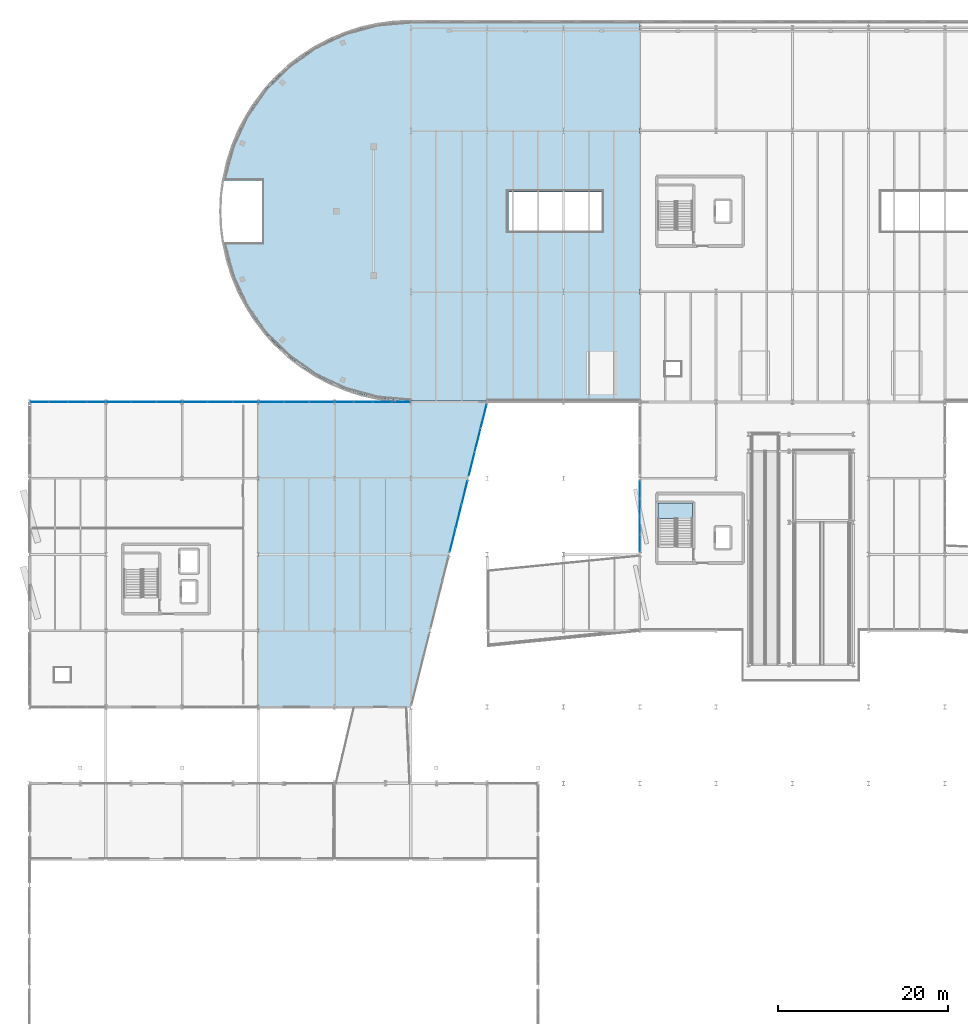
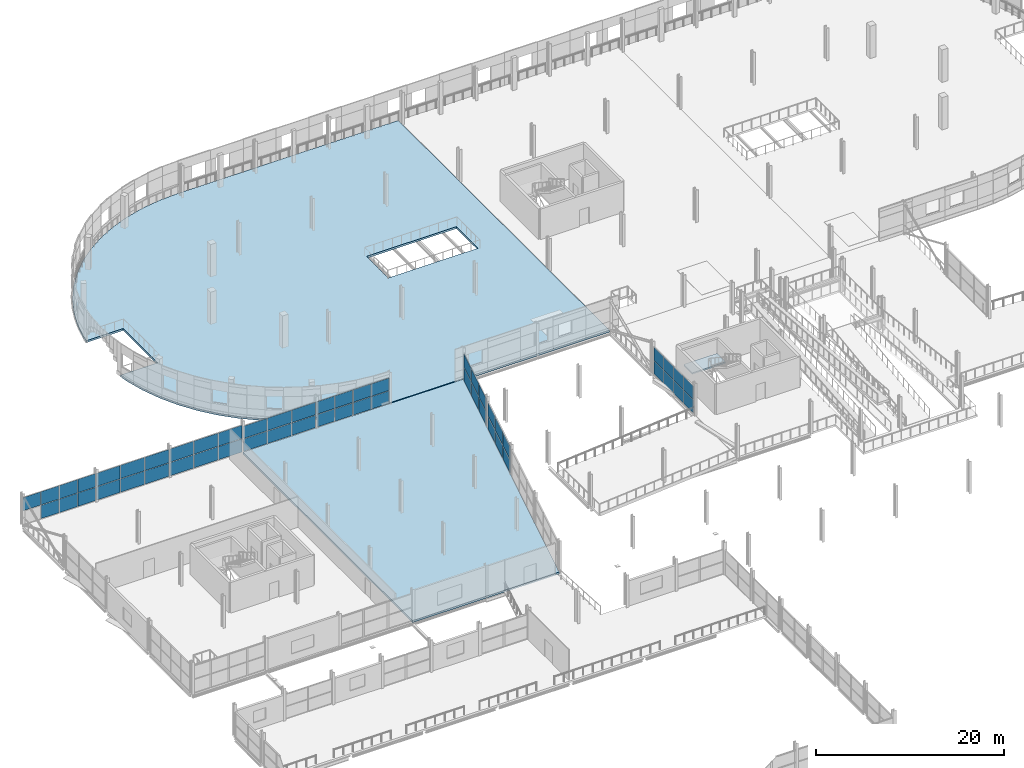
# One storey, part 104 of 135: 53 plates, 3 slabs, 9 elements without a shape of their own.
"""IFC4 building model written with IfcOpenShell, lengths in metres."""

from ifc_helpers import new_model, si_unit, direction, frame, origin, origin_2d, place, context, subcontext, project, spatial, polyline, rectangle, outline, extrude, material, layer, layer_set, type_object, element, aggregate, save


model = new_model("IFC4")

# Units and contexts
model_context = context("Model", 3, precision=1e-05, world=origin(), true_north=direction((0.0, 1.0)))
body_context = subcontext(model_context, "Body", "Model", "MODEL_VIEW")
ifc_project = project(units=[si_unit("LENGTHUNIT", "METRE"), si_unit("AREAUNIT", "SQUARE_METRE"), si_unit("VOLUMEUNIT", "CUBIC_METRE"), si_unit("PLANEANGLEUNIT", "RADIAN"), si_unit("MASSUNIT", "GRAM", prefix="KILO")], contexts=[model_context])

# Site, building, storey
site_placement = place(None, origin())
site = spatial("IfcSite", under=ifc_project, at=site_placement, CompositionType="ELEMENT")
building_placement = place(site_placement, origin())
building = spatial("IfcBuilding", under=site, at=building_placement, Name="Deido Ridge Mobility Hub", CompositionType="ELEMENT")
storey_placement = place(building_placement, frame((0.0, 0.0, 4.199951171875)))
storey = spatial("IfcBuildingStorey", under=building, at=storey_placement, Name="L01", CompositionType="ELEMENT", Elevation=4.199951171875)

# Curtain wall, plates
ifc_material_1 = material(Name="Anodised aluminium EN AW-6063 T6", Category="aluminium")
ifc_layer_1 = layer(ifc_material_1, 0.27001953125, Name="Anodised aluminium EN AW-6063 T6")
ifc_layer_set_1 = layer_set([ifc_layer_1], Name="Anodised aluminium EN AW-6063 T6")
curtain_wall_type_1 = type_object("IfcCurtainWallType", Name="CW-UF-8", PredefinedType="USERDEFINED", material=ifc_layer_set_1)
curtain_wall_1_placement = place(storey_placement, origin())
curtain_wall_1 = element("IfcCurtainWall", 1, at=curtain_wall_1_placement, inside=storey, type_object=curtain_wall_type_1, Name="Unitised curtain wall CW8", ObjectType="UNITISED FACADE", PredefinedType="USERDEFINED")
ifc_material_2 = material(Name="Laminated solar-control low-E glass", Category="glass")
ifc_layer_2 = layer(ifc_material_2, 0.02587890625, Name="Laminated solar-control low-E glass")
ifc_layer_set_2 = layer_set([ifc_layer_2], Name="Laminated solar-control low-E glass")
plate_type_1 = type_object("IfcPlateType", Name="PLT-CWP-26", PredefinedType="CURTAIN_PANEL", material=ifc_layer_set_2)
plate_1_placement = place(storey_placement, frame((52.173095703125, 73.692626953125, 0.050048828125), z_axis=(0.0, 0.0, 1.0), x_axis=(0.242546419373, 0.970139801497, 0.0)))
plate_1 = element("IfcPlate", 2, at=plate_1_placement, type_object=plate_type_1, Name="CW8 panel 1.1", PredefinedType="CURTAIN_PANEL", context=body_context, shape_type="SweptSolid", body=[
    extrude(rectangle(XDim=2.831298828125, YDim=0.02587890625, at=origin_2d()), origin(), (0.0, 0.0, 1.0), 1.72509765625),
])
plate_2_placement = place(storey_placement, frame((52.173095703125, 73.692626953125, 1.824951171875), z_axis=(0.0, 0.0, 1.0), x_axis=(0.242546419373, 0.970139801497, 0.0)))
plate_2 = element("IfcPlate", 3, at=plate_2_placement, type_object=plate_type_1, Name="CW8 panel 1.2", PredefinedType="CURTAIN_PANEL", context=body_context, shape_type="SweptSolid", body=[
    extrude(rectangle(XDim=2.831298828125, YDim=0.02587890625, at=origin_2d()), origin(), (0.0, 0.0, 1.0), 1.72509765625),
])
plate_3_placement = place(storey_placement, frame((52.875, 76.5, 0.050048828125), z_axis=(0.0, 0.0, 1.0), x_axis=(0.242546419373, 0.970139801497, 0.0)))
plate_3 = element("IfcPlate", 4, at=plate_3_placement, type_object=plate_type_1, Name="CW8 panel 2.1", PredefinedType="CURTAIN_PANEL", context=body_context, shape_type="SweptSolid", body=[
    extrude(rectangle(XDim=2.8564453125, YDim=0.02587890625, at=origin_2d()), origin(), (0.0, 0.0, 1.0), 1.72509765625),
])
plate_4_placement = place(storey_placement, frame((52.875, 76.5, 1.824951171875), z_axis=(0.0, 0.0, 1.0), x_axis=(0.242546419373, 0.970139801497, 0.0)))
plate_4 = element("IfcPlate", 5, at=plate_4_placement, type_object=plate_type_1, Name="CW8 panel 2.2", PredefinedType="CURTAIN_PANEL", context=body_context, shape_type="SweptSolid", body=[
    extrude(rectangle(XDim=2.8564453125, YDim=0.02587890625, at=origin_2d()), origin(), (0.0, 0.0, 1.0), 1.72509765625),
])
plate_5_placement = place(storey_placement, frame((53.576904296875, 79.307373046875, 0.050048828125), z_axis=(0.0, 0.0, 1.0), x_axis=(0.242546419373, 0.970139801497, 0.0)))
plate_5 = element("IfcPlate", 6, at=plate_5_placement, type_object=plate_type_1, Name="CW8 panel 3.1", PredefinedType="CURTAIN_PANEL", context=body_context, shape_type="SweptSolid", body=[
    extrude(rectangle(XDim=2.831298828125, YDim=0.02587890625, at=origin_2d()), origin(), (0.0, 0.0, 1.0), 1.72509765625),
])
plate_6_placement = place(storey_placement, frame((53.576904296875, 79.307373046875, 1.824951171875), z_axis=(0.0, 0.0, 1.0), x_axis=(0.242546419373, 0.970139801497, 0.0)))
plate_6 = element("IfcPlate", 7, at=plate_6_placement, type_object=plate_type_1, Name="CW8 panel 3.2", PredefinedType="CURTAIN_PANEL", context=body_context, shape_type="SweptSolid", body=[
    extrude(rectangle(XDim=2.831298828125, YDim=0.02587890625, at=origin_2d()), origin(), (0.0, 0.0, 1.0), 1.72509765625),
])
aggregate(curtain_wall_1, [plate_1, plate_2, plate_3, plate_4, plate_5, plate_6])

ifc_layer_3 = layer(ifc_material_1, 0.132080078125, Name="Anodised aluminium EN AW-6063 T6")
ifc_layer_set_3 = layer_set([ifc_layer_3], Name="Anodised aluminium EN AW-6063 T6")
curtain_wall_type_2 = type_object("IfcCurtainWallType", Name="CW-GS-1", PredefinedType="USERDEFINED", material=ifc_layer_set_3)
curtain_wall_2_placement = place(storey_placement, origin())
curtain_wall_2 = element("IfcCurtainWall", 8, at=curtain_wall_2_placement, inside=storey, type_object=curtain_wall_type_2, Name="Unitised curtain wall GS1", ObjectType="GLAZED SCREEN", PredefinedType="USERDEFINED")
ifc_layer_4 = layer(ifc_material_2, 0.029052734375, Name="Laminated solar-control low-E glass")
ifc_layer_set_4 = layer_set([ifc_layer_4], Name="Laminated solar-control low-E glass")
plate_type_2 = type_object("IfcPlateType", Name="PLT-CWP-29", PredefinedType="CURTAIN_PANEL", material=ifc_layer_set_4)
plate_7_placement = place(storey_placement, frame((1.144287109375, 81.0, 1.82763671875), z_axis=(0.0, 0.0, 1.0), x_axis=(1.0, 0.0, 0.0)))
plate_7 = element("IfcPlate", 9, at=plate_7_placement, type_object=plate_type_2, Name="GS1 panel 1.2", PredefinedType="CURTAIN_PANEL", context=body_context, shape_type="SweptSolid", body=[
    extrude(rectangle(XDim=2.163818359375, YDim=0.029052734375, at=origin_2d()), origin(), (0.0, 0.0, 1.0), 1.717529296875),
])
plate_8_placement = place(storey_placement, frame((3.376708984375, 81.0, 0.05517578125), z_axis=(0.0, 0.0, 1.0), x_axis=(1.0, 0.0, 0.0)))
plate_8 = element("IfcPlate", 10, at=plate_8_placement, type_object=plate_type_2, Name="GS1 panel 2.1", PredefinedType="CURTAIN_PANEL", context=body_context, shape_type="SweptSolid", body=[
    extrude(rectangle(XDim=2.19140625, YDim=0.029052734375, at=origin_2d()), origin(), (0.0, 0.0, 1.0), 1.717529296875),
])
plate_9_placement = place(storey_placement, frame((3.376708984375, 81.0, 1.82763671875), z_axis=(0.0, 0.0, 1.0), x_axis=(1.0, 0.0, 0.0)))
plate_9 = element("IfcPlate", 11, at=plate_9_placement, type_object=plate_type_2, Name="GS1 panel 2.2", PredefinedType="CURTAIN_PANEL", context=body_context, shape_type="SweptSolid", body=[
    extrude(rectangle(XDim=2.19140625, YDim=0.029052734375, at=origin_2d()), origin(), (0.0, 0.0, 1.0), 1.717529296875),
])
plate_10_placement = place(storey_placement, frame((5.623291015625, 81.0, 0.05517578125), z_axis=(0.0, 0.0, 1.0), x_axis=(1.0, 0.0, 0.0)))
plate_10 = element("IfcPlate", 12, at=plate_10_placement, type_object=plate_type_2, Name="GS1 panel 3.1", PredefinedType="CURTAIN_PANEL", context=body_context, shape_type="SweptSolid", body=[
    extrude(rectangle(XDim=2.19140625, YDim=0.029052734375, at=origin_2d()), origin(), (0.0, 0.0, 1.0), 1.717529296875),
])
plate_11_placement = place(storey_placement, frame((5.623291015625, 81.0, 1.82763671875), z_axis=(0.0, 0.0, 1.0), x_axis=(1.0, 0.0, 0.0)))
plate_11 = element("IfcPlate", 13, at=plate_11_placement, type_object=plate_type_2, Name="GS1 panel 3.2", PredefinedType="CURTAIN_PANEL", context=body_context, shape_type="SweptSolid", body=[
    extrude(rectangle(XDim=2.19140625, YDim=0.029052734375, at=origin_2d()), origin(), (0.0, 0.0, 1.0), 1.717529296875),
])
plate_12_placement = place(storey_placement, frame((7.855712890625, 81.0, 0.05517578125), z_axis=(0.0, 0.0, 1.0), x_axis=(1.0, 0.0, 0.0)))
plate_12 = element("IfcPlate", 14, at=plate_12_placement, type_object=plate_type_2, Name="GS1 panel 4.1", PredefinedType="CURTAIN_PANEL", context=body_context, shape_type="SweptSolid", body=[
    extrude(rectangle(XDim=2.163818359375, YDim=0.029052734375, at=origin_2d()), origin(), (0.0, 0.0, 1.0), 1.717529296875),
])
plate_13_placement = place(storey_placement, frame((7.855712890625, 81.0, 1.82763671875), z_axis=(0.0, 0.0, 1.0), x_axis=(1.0, 0.0, 0.0)))
plate_13 = element("IfcPlate", 15, at=plate_13_placement, type_object=plate_type_2, Name="GS1 panel 4.2", PredefinedType="CURTAIN_PANEL", context=body_context, shape_type="SweptSolid", body=[
    extrude(rectangle(XDim=2.163818359375, YDim=0.029052734375, at=origin_2d()), origin(), (0.0, 0.0, 1.0), 1.717529296875),
])
aggregate(curtain_wall_2, [plate_7, plate_8, plate_9, plate_10, plate_11, plate_12, plate_13])

ifc_layer_5 = layer(ifc_material_1, 0.14404296875, Name="Anodised aluminium EN AW-6063 T6")
ifc_layer_set_5 = layer_set([ifc_layer_5], Name="Anodised aluminium EN AW-6063 T6")
curtain_wall_type_3 = type_object("IfcCurtainWallType", Name="CW-GS-2", PredefinedType="USERDEFINED", material=ifc_layer_set_5)
curtain_wall_3_placement = place(storey_placement, origin())
curtain_wall_3 = element("IfcCurtainWall", 16, at=curtain_wall_3_placement, inside=storey, type_object=curtain_wall_type_3, Name="Unitised curtain wall GS2", ObjectType="GLAZED SCREEN", PredefinedType="USERDEFINED")
ifc_layer_6 = layer(ifc_material_2, 0.031005859375, Name="Laminated solar-control low-E glass")
ifc_layer_set_6 = layer_set([ifc_layer_6], Name="Laminated solar-control low-E glass")
plate_type_3 = type_object("IfcPlateType", Name="PLT-CWP-31", PredefinedType="CURTAIN_PANEL", material=ifc_layer_set_6)
plate_14_placement = place(storey_placement, frame((10.519775390625, 81.0, 0.06005859375), z_axis=(0.0, 0.0, 1.0), x_axis=(1.0, 0.0, 0.0)))
plate_14 = element("IfcPlate", 17, at=plate_14_placement, type_object=plate_type_3, Name="GS2 panel 1.1", PredefinedType="CURTAIN_PANEL", context=body_context, shape_type="SweptSolid", body=[
    extrude(rectangle(XDim=2.9052734375, YDim=0.031005859375, at=origin_2d()), origin(), (0.0, 0.0, 1.0), 1.7099609375),
])
plate_15_placement = place(storey_placement, frame((10.519775390625, 81.0, 1.830078125), z_axis=(0.0, 0.0, 1.0), x_axis=(1.0, 0.0, 0.0)))
plate_15 = element("IfcPlate", 18, at=plate_15_placement, type_object=plate_type_3, Name="GS2 panel 1.2", PredefinedType="CURTAIN_PANEL", context=body_context, shape_type="SweptSolid", body=[
    extrude(rectangle(XDim=2.9052734375, YDim=0.031005859375, at=origin_2d()), origin(), (0.0, 0.0, 1.0), 1.7099609375),
])
plate_16_placement = place(storey_placement, frame((13.5, 81.0, 0.06005859375), z_axis=(0.0, 0.0, 1.0), x_axis=(1.0, 0.0, 0.0)))
plate_16 = element("IfcPlate", 19, at=plate_16_placement, type_object=plate_type_3, Name="GS2 panel 2.1", PredefinedType="CURTAIN_PANEL", context=body_context, shape_type="SweptSolid", body=[
    extrude(rectangle(XDim=2.93505859375, YDim=0.031005859375, at=origin_2d()), origin(), (0.0, 0.0, 1.0), 1.7099609375),
])
plate_17_placement = place(storey_placement, frame((13.5, 81.0, 1.830078125), z_axis=(0.0, 0.0, 1.0), x_axis=(1.0, 0.0, 0.0)))
plate_17 = element("IfcPlate", 20, at=plate_17_placement, type_object=plate_type_3, Name="GS2 panel 2.2", PredefinedType="CURTAIN_PANEL", context=body_context, shape_type="SweptSolid", body=[
    extrude(rectangle(XDim=2.93505859375, YDim=0.031005859375, at=origin_2d()), origin(), (0.0, 0.0, 1.0), 1.7099609375),
])
plate_18_placement = place(storey_placement, frame((16.480224609375, 81.0, 0.06005859375), z_axis=(0.0, 0.0, 1.0), x_axis=(1.0, 0.0, 0.0)))
plate_18 = element("IfcPlate", 21, at=plate_18_placement, type_object=plate_type_3, Name="GS2 panel 3.1", PredefinedType="CURTAIN_PANEL", context=body_context, shape_type="SweptSolid", body=[
    extrude(rectangle(XDim=2.9052734375, YDim=0.031005859375, at=origin_2d()), origin(), (0.0, 0.0, 1.0), 1.7099609375),
])
plate_19_placement = place(storey_placement, frame((16.480224609375, 81.0, 1.830078125), z_axis=(0.0, 0.0, 1.0), x_axis=(1.0, 0.0, 0.0)))
plate_19 = element("IfcPlate", 22, at=plate_19_placement, type_object=plate_type_3, Name="GS2 panel 3.2", PredefinedType="CURTAIN_PANEL", context=body_context, shape_type="SweptSolid", body=[
    extrude(rectangle(XDim=2.9052734375, YDim=0.031005859375, at=origin_2d()), origin(), (0.0, 0.0, 1.0), 1.7099609375),
])
aggregate(curtain_wall_3, [plate_14, plate_15, plate_16, plate_17, plate_18, plate_19])

ifc_layer_7 = layer(ifc_material_1, 0.156005859375, Name="Anodised aluminium EN AW-6063 T6")
ifc_layer_set_7 = layer_set([ifc_layer_7], Name="Anodised aluminium EN AW-6063 T6")
curtain_wall_type_4 = type_object("IfcCurtainWallType", Name="CW-GS-3", PredefinedType="USERDEFINED", material=ifc_layer_set_7)
curtain_wall_4_placement = place(storey_placement, origin())
curtain_wall_4 = element("IfcCurtainWall", 23, at=curtain_wall_4_placement, inside=storey, type_object=curtain_wall_type_4, Name="Unitised curtain wall GS3", ObjectType="GLAZED SCREEN", PredefinedType="USERDEFINED")
ifc_layer_8 = layer(ifc_material_2, 0.032958984375, Name="Laminated solar-control low-E glass")
ifc_layer_set_8 = layer_set([ifc_layer_8], Name="Laminated solar-control low-E glass")
plate_type_4 = type_object("IfcPlateType", Name="PLT-CWP-33", PredefinedType="CURTAIN_PANEL", material=ifc_layer_set_8)
plate_20_placement = place(storey_placement, frame((19.52099609375, 81.0, 0.06494140625), z_axis=(0.0, 0.0, 1.0), x_axis=(1.0, 0.0, 0.0)))
plate_20 = element("IfcPlate", 24, at=plate_20_placement, type_object=plate_type_4, Name="GS3 panel 1.1", PredefinedType="CURTAIN_PANEL", context=body_context, shape_type="SweptSolid", body=[
    extrude(rectangle(XDim=2.897705078125, YDim=0.032958984375, at=origin_2d()), origin(), (0.0, 0.0, 1.0), 1.702392578125),
])
plate_21_placement = place(storey_placement, frame((19.52099609375, 81.0, 1.83251953125), z_axis=(0.0, 0.0, 1.0), x_axis=(1.0, 0.0, 0.0)))
plate_21 = element("IfcPlate", 25, at=plate_21_placement, type_object=plate_type_4, Name="GS3 panel 1.2", PredefinedType="CURTAIN_PANEL", context=body_context, shape_type="SweptSolid", body=[
    extrude(rectangle(XDim=2.897705078125, YDim=0.032958984375, at=origin_2d()), origin(), (0.0, 0.0, 1.0), 1.702392578125),
])
plate_22_placement = place(storey_placement, frame((22.5, 81.0, 0.06494140625), z_axis=(0.0, 0.0, 1.0), x_axis=(1.0, 0.0, 0.0)))
plate_22 = element("IfcPlate", 26, at=plate_22_placement, type_object=plate_type_4, Name="GS3 panel 2.1", PredefinedType="CURTAIN_PANEL", context=body_context, shape_type="SweptSolid", body=[
    extrude(rectangle(XDim=2.93017578125, YDim=0.032958984375, at=origin_2d()), origin(), (0.0, 0.0, 1.0), 1.702392578125),
])
plate_23_placement = place(storey_placement, frame((22.5, 81.0, 1.83251953125), z_axis=(0.0, 0.0, 1.0), x_axis=(1.0, 0.0, 0.0)))
plate_23 = element("IfcPlate", 27, at=plate_23_placement, type_object=plate_type_4, Name="GS3 panel 2.2", PredefinedType="CURTAIN_PANEL", context=body_context, shape_type="SweptSolid", body=[
    extrude(rectangle(XDim=2.93017578125, YDim=0.032958984375, at=origin_2d()), origin(), (0.0, 0.0, 1.0), 1.702392578125),
])
plate_24_placement = place(storey_placement, frame((25.47900390625, 81.0, 0.06494140625), z_axis=(0.0, 0.0, 1.0), x_axis=(1.0, 0.0, 0.0)))
plate_24 = element("IfcPlate", 28, at=plate_24_placement, type_object=plate_type_4, Name="GS3 panel 3.1", PredefinedType="CURTAIN_PANEL", context=body_context, shape_type="SweptSolid", body=[
    extrude(rectangle(XDim=2.897705078125, YDim=0.032958984375, at=origin_2d()), origin(), (0.0, 0.0, 1.0), 1.702392578125),
])
plate_25_placement = place(storey_placement, frame((25.47900390625, 81.0, 1.83251953125), z_axis=(0.0, 0.0, 1.0), x_axis=(1.0, 0.0, 0.0)))
plate_25 = element("IfcPlate", 29, at=plate_25_placement, type_object=plate_type_4, Name="GS3 panel 3.2", PredefinedType="CURTAIN_PANEL", context=body_context, shape_type="SweptSolid", body=[
    extrude(rectangle(XDim=2.897705078125, YDim=0.032958984375, at=origin_2d()), origin(), (0.0, 0.0, 1.0), 1.702392578125),
])
aggregate(curtain_wall_4, [plate_20, plate_21, plate_22, plate_23, plate_24, plate_25])

ifc_layer_9 = layer(ifc_material_1, 0.179931640625, Name="Anodised aluminium EN AW-6063 T6")
ifc_layer_set_9 = layer_set([ifc_layer_9], Name="Anodised aluminium EN AW-6063 T6")
curtain_wall_type_5 = type_object("IfcCurtainWallType", Name="CW-UF-2", PredefinedType="USERDEFINED", material=ifc_layer_set_9)
curtain_wall_5_placement = place(storey_placement, origin())
curtain_wall_5 = element("IfcCurtainWall", 30, at=curtain_wall_5_placement, inside=storey, type_object=curtain_wall_type_5, Name="Unitised curtain wall CW2", ObjectType="UNITISED FACADE", PredefinedType="USERDEFINED")
plate_26_placement = place(storey_placement, frame((72.0, 64.328857421875, 0.06494140625), z_axis=(0.0, 0.0, 1.0), x_axis=(0.0, 1.0, 0.0)))
plate_26 = element("IfcPlate", 31, at=plate_26_placement, type_object=plate_type_4, Name="CW2 panel 1.1", PredefinedType="CURTAIN_PANEL", context=body_context, shape_type="SweptSolid", body=[
    extrude(rectangle(XDim=2.027587890625, YDim=0.032958984375, at=origin_2d()), origin(), (0.0, 0.0, 1.0), 1.702392578125),
])
plate_27_placement = place(storey_placement, frame((72.0, 64.328857421875, 1.83251953125), z_axis=(0.0, 0.0, 1.0), x_axis=(0.0, 1.0, 0.0)))
plate_27 = element("IfcPlate", 32, at=plate_27_placement, type_object=plate_type_4, Name="CW2 panel 1.2", PredefinedType="CURTAIN_PANEL", context=body_context, shape_type="SweptSolid", body=[
    extrude(rectangle(XDim=2.027587890625, YDim=0.032958984375, at=origin_2d()), origin(), (0.0, 0.0, 1.0), 1.702392578125),
])
plate_28_placement = place(storey_placement, frame((72.0, 66.4375, 0.06494140625), z_axis=(0.0, 0.0, 1.0), x_axis=(0.0, 1.0, 0.0)))
plate_28 = element("IfcPlate", 33, at=plate_28_placement, type_object=plate_type_4, Name="CW2 panel 2.1", PredefinedType="CURTAIN_PANEL", context=body_context, shape_type="SweptSolid", body=[
    extrude(rectangle(XDim=2.06005859375, YDim=0.032958984375, at=origin_2d()), origin(), (0.0, 0.0, 1.0), 1.702392578125),
])
plate_29_placement = place(storey_placement, frame((72.0, 66.4375, 1.83251953125), z_axis=(0.0, 0.0, 1.0), x_axis=(0.0, 1.0, 0.0)))
plate_29 = element("IfcPlate", 34, at=plate_29_placement, type_object=plate_type_4, Name="CW2 panel 2.2", PredefinedType="CURTAIN_PANEL", context=body_context, shape_type="SweptSolid", body=[
    extrude(rectangle(XDim=2.06005859375, YDim=0.032958984375, at=origin_2d()), origin(), (0.0, 0.0, 1.0), 1.702392578125),
])
plate_30_placement = place(storey_placement, frame((72.0, 68.5625, 0.06494140625), z_axis=(0.0, 0.0, 1.0), x_axis=(0.0, 1.0, 0.0)))
plate_30 = element("IfcPlate", 35, at=plate_30_placement, type_object=plate_type_4, Name="CW2 panel 3.1", PredefinedType="CURTAIN_PANEL", context=body_context, shape_type="SweptSolid", body=[
    extrude(rectangle(XDim=2.06005859375, YDim=0.032958984375, at=origin_2d()), origin(), (0.0, 0.0, 1.0), 1.702392578125),
])
plate_31_placement = place(storey_placement, frame((72.0, 68.5625, 1.83251953125), z_axis=(0.0, 0.0, 1.0), x_axis=(0.0, 1.0, 0.0)))
plate_31 = element("IfcPlate", 36, at=plate_31_placement, type_object=plate_type_4, Name="CW2 panel 3.2", PredefinedType="CURTAIN_PANEL", context=body_context, shape_type="SweptSolid", body=[
    extrude(rectangle(XDim=2.06005859375, YDim=0.032958984375, at=origin_2d()), origin(), (0.0, 0.0, 1.0), 1.702392578125),
])
plate_32_placement = place(storey_placement, frame((72.0, 70.671142578125, 0.06494140625), z_axis=(0.0, 0.0, 1.0), x_axis=(0.0, 1.0, 0.0)))
plate_32 = element("IfcPlate", 37, at=plate_32_placement, type_object=plate_type_4, Name="CW2 panel 4.1", PredefinedType="CURTAIN_PANEL", context=body_context, shape_type="SweptSolid", body=[
    extrude(rectangle(XDim=2.027587890625, YDim=0.032958984375, at=origin_2d()), origin(), (0.0, 0.0, 1.0), 1.702392578125),
])
plate_33_placement = place(storey_placement, frame((72.0, 70.671142578125, 1.83251953125), z_axis=(0.0, 0.0, 1.0), x_axis=(0.0, 1.0, 0.0)))
plate_33 = element("IfcPlate", 38, at=plate_33_placement, type_object=plate_type_4, Name="CW2 panel 4.2", PredefinedType="CURTAIN_PANEL", context=body_context, shape_type="SweptSolid", body=[
    extrude(rectangle(XDim=2.027587890625, YDim=0.032958984375, at=origin_2d()), origin(), (0.0, 0.0, 1.0), 1.702392578125),
])
aggregate(curtain_wall_5, [plate_26, plate_27, plate_28, plate_29, plate_30, plate_31, plate_32, plate_33])

ifc_layer_10 = layer(ifc_material_1, 0.16796875, Name="Anodised aluminium EN AW-6063 T6")
ifc_layer_set_10 = layer_set([ifc_layer_10], Name="Anodised aluminium EN AW-6063 T6")
curtain_wall_type_6 = type_object("IfcCurtainWallType", Name="CW-GS-4", PredefinedType="USERDEFINED", material=ifc_layer_set_10)
curtain_wall_6_placement = place(storey_placement, origin())
curtain_wall_6 = element("IfcCurtainWall", 39, at=curtain_wall_6_placement, inside=storey, type_object=curtain_wall_type_6, Name="Unitised curtain wall GS4", ObjectType="GLAZED SCREEN", PredefinedType="USERDEFINED")
ifc_layer_11 = layer(ifc_material_2, 0.034912109375, Name="Laminated solar-control low-E glass")
ifc_layer_set_11 = layer_set([ifc_layer_11], Name="Laminated solar-control low-E glass")
plate_type_5 = type_object("IfcPlateType", Name="PLT-CWP-35", PredefinedType="CURTAIN_PANEL", material=ifc_layer_set_11)
plate_34_placement = place(storey_placement, frame((28.522216796875, 81.0, 0.070068359375), z_axis=(0.0, 0.0, 1.0), x_axis=(1.0, 0.0, 0.0)))
plate_34 = element("IfcPlate", 40, at=plate_34_placement, type_object=plate_type_5, Name="GS4 panel 1.1", PredefinedType="CURTAIN_PANEL", context=body_context, shape_type="SweptSolid", body=[
    extrude(rectangle(XDim=2.89013671875, YDim=0.034912109375, at=origin_2d()), origin(), (0.0, 0.0, 1.0), 1.60498046875),
])
plate_35_placement = place(storey_placement, frame((28.522216796875, 81.0, 1.7451171875), z_axis=(0.0, 0.0, 1.0), x_axis=(1.0, 0.0, 0.0)))
plate_35 = element("IfcPlate", 41, at=plate_35_placement, type_object=plate_type_5, Name="GS4 panel 1.2", PredefinedType="CURTAIN_PANEL", context=body_context, shape_type="SweptSolid", body=[
    extrude(rectangle(XDim=2.89013671875, YDim=0.034912109375, at=origin_2d()), origin(), (0.0, 0.0, 1.0), 1.60498046875),
])
plate_36_placement = place(storey_placement, frame((31.5, 81.0, 0.070068359375), z_axis=(0.0, 0.0, 1.0), x_axis=(1.0, 0.0, 0.0)))
plate_36 = element("IfcPlate", 42, at=plate_36_placement, type_object=plate_type_5, Name="GS4 panel 2.1", PredefinedType="CURTAIN_PANEL", context=body_context, shape_type="SweptSolid", body=[
    extrude(rectangle(XDim=2.92529296875, YDim=0.034912109375, at=origin_2d()), origin(), (0.0, 0.0, 1.0), 1.60498046875),
])
plate_37_placement = place(storey_placement, frame((31.5, 81.0, 1.7451171875), z_axis=(0.0, 0.0, 1.0), x_axis=(1.0, 0.0, 0.0)))
plate_37 = element("IfcPlate", 43, at=plate_37_placement, type_object=plate_type_5, Name="GS4 panel 2.2", PredefinedType="CURTAIN_PANEL", context=body_context, shape_type="SweptSolid", body=[
    extrude(rectangle(XDim=2.92529296875, YDim=0.034912109375, at=origin_2d()), origin(), (0.0, 0.0, 1.0), 1.60498046875),
])
plate_38_placement = place(storey_placement, frame((34.477783203125, 81.0, 0.070068359375), z_axis=(0.0, 0.0, 1.0), x_axis=(1.0, 0.0, 0.0)))
plate_38 = element("IfcPlate", 44, at=plate_38_placement, type_object=plate_type_5, Name="GS4 panel 3.1", PredefinedType="CURTAIN_PANEL", context=body_context, shape_type="SweptSolid", body=[
    extrude(rectangle(XDim=2.89013671875, YDim=0.034912109375, at=origin_2d()), origin(), (0.0, 0.0, 1.0), 1.60498046875),
])
plate_39_placement = place(storey_placement, frame((34.477783203125, 81.0, 1.7451171875), z_axis=(0.0, 0.0, 1.0), x_axis=(1.0, 0.0, 0.0)))
plate_39 = element("IfcPlate", 45, at=plate_39_placement, type_object=plate_type_5, Name="GS4 panel 3.2", PredefinedType="CURTAIN_PANEL", context=body_context, shape_type="SweptSolid", body=[
    extrude(rectangle(XDim=2.89013671875, YDim=0.034912109375, at=origin_2d()), origin(), (0.0, 0.0, 1.0), 1.60498046875),
])
aggregate(curtain_wall_6, [plate_34, plate_35, plate_36, plate_37, plate_38, plate_39])

curtain_wall_7_placement = place(storey_placement, origin())
curtain_wall_7 = element("IfcCurtainWall", 46, at=curtain_wall_7_placement, inside=storey, type_object=curtain_wall_type_2, Name="Unitised curtain wall GS1", ObjectType="GLAZED SCREEN", PredefinedType="USERDEFINED")
ifc_layer_12 = layer(ifc_material_2, 0.037109375, Name="Laminated solar-control low-E glass")
ifc_layer_set_12 = layer_set([ifc_layer_12], Name="Laminated solar-control low-E glass")
plate_type_6 = type_object("IfcPlateType", Name="PLT-CWP-37", PredefinedType="CURTAIN_PANEL", material=ifc_layer_set_12)
plate_40_placement = place(storey_placement, frame((37.149169921875, 81.0, 0.0751953125), z_axis=(0.0, 0.0, 1.0), x_axis=(1.0, 0.0, 0.0)))
plate_40 = element("IfcPlate", 47, at=plate_40_placement, type_object=plate_type_6, Name="GS1 panel 1.1", PredefinedType="CURTAIN_PANEL", context=body_context, shape_type="SweptSolid", body=[
    extrude(rectangle(XDim=2.1337890625, YDim=0.037109375, at=origin_2d()), origin(), (0.0, 0.0, 1.0), 1.597412109375),
])
plate_41_placement = place(storey_placement, frame((37.149169921875, 81.0, 1.74755859375), z_axis=(0.0, 0.0, 1.0), x_axis=(1.0, 0.0, 0.0)))
plate_41 = element("IfcPlate", 48, at=plate_41_placement, type_object=plate_type_6, Name="GS1 panel 1.2", PredefinedType="CURTAIN_PANEL", context=body_context, shape_type="SweptSolid", body=[
    extrude(rectangle(XDim=2.1337890625, YDim=0.037109375, at=origin_2d()), origin(), (0.0, 0.0, 1.0), 1.597412109375),
])
plate_42_placement = place(storey_placement, frame((39.376708984375, 81.0, 0.0751953125), z_axis=(0.0, 0.0, 1.0), x_axis=(1.0, 0.0, 0.0)))
plate_42 = element("IfcPlate", 49, at=plate_42_placement, type_object=plate_type_6, Name="GS1 panel 2.1", PredefinedType="CURTAIN_PANEL", context=body_context, shape_type="SweptSolid", body=[
    extrude(rectangle(XDim=2.17138671875, YDim=0.037109375, at=origin_2d()), origin(), (0.0, 0.0, 1.0), 1.597412109375),
])
plate_43_placement = place(storey_placement, frame((39.376708984375, 81.0, 1.74755859375), z_axis=(0.0, 0.0, 1.0), x_axis=(1.0, 0.0, 0.0)))
plate_43 = element("IfcPlate", 50, at=plate_43_placement, type_object=plate_type_6, Name="GS1 panel 2.2", PredefinedType="CURTAIN_PANEL", context=body_context, shape_type="SweptSolid", body=[
    extrude(rectangle(XDim=2.17138671875, YDim=0.037109375, at=origin_2d()), origin(), (0.0, 0.0, 1.0), 1.597412109375),
])
plate_44_placement = place(storey_placement, frame((41.623291015625, 81.0, 0.0751953125), z_axis=(0.0, 0.0, 1.0), x_axis=(1.0, 0.0, 0.0)))
plate_44 = element("IfcPlate", 51, at=plate_44_placement, type_object=plate_type_6, Name="GS1 panel 3.1", PredefinedType="CURTAIN_PANEL", context=body_context, shape_type="SweptSolid", body=[
    extrude(rectangle(XDim=2.17138671875, YDim=0.037109375, at=origin_2d()), origin(), (0.0, 0.0, 1.0), 1.597412109375),
])
plate_45_placement = place(storey_placement, frame((41.623291015625, 81.0, 1.74755859375), z_axis=(0.0, 0.0, 1.0), x_axis=(1.0, 0.0, 0.0)))
plate_45 = element("IfcPlate", 52, at=plate_45_placement, type_object=plate_type_6, Name="GS1 panel 3.2", PredefinedType="CURTAIN_PANEL", context=body_context, shape_type="SweptSolid", body=[
    extrude(rectangle(XDim=2.17138671875, YDim=0.037109375, at=origin_2d()), origin(), (0.0, 0.0, 1.0), 1.597412109375),
])
plate_46_placement = place(storey_placement, frame((43.850830078125, 81.0, 0.0751953125), z_axis=(0.0, 0.0, 1.0), x_axis=(1.0, 0.0, 0.0)))
plate_46 = element("IfcPlate", 53, at=plate_46_placement, type_object=plate_type_6, Name="GS1 panel 4.1", PredefinedType="CURTAIN_PANEL", context=body_context, shape_type="SweptSolid", body=[
    extrude(rectangle(XDim=2.1337890625, YDim=0.037109375, at=origin_2d()), origin(), (0.0, 0.0, 1.0), 1.597412109375),
])
plate_47_placement = place(storey_placement, frame((43.850830078125, 81.0, 1.74755859375), z_axis=(0.0, 0.0, 1.0), x_axis=(1.0, 0.0, 0.0)))
plate_47 = element("IfcPlate", 54, at=plate_47_placement, type_object=plate_type_6, Name="GS1 panel 4.2", PredefinedType="CURTAIN_PANEL", context=body_context, shape_type="SweptSolid", body=[
    extrude(rectangle(XDim=2.1337890625, YDim=0.037109375, at=origin_2d()), origin(), (0.0, 0.0, 1.0), 1.597412109375),
])
aggregate(curtain_wall_7, [plate_40, plate_41, plate_42, plate_43, plate_44, plate_45, plate_46, plate_47])

ifc_layer_13 = layer(ifc_material_1, 0.2548828125, Name="Anodised aluminium EN AW-6063 T6")
ifc_layer_set_13 = layer_set([ifc_layer_13], Name="Anodised aluminium EN AW-6063 T6")
curtain_wall_type_7 = type_object("IfcCurtainWallType", Name="CW-UF-7", PredefinedType="USERDEFINED", material=ifc_layer_set_13)
curtain_wall_8_placement = place(storey_placement, origin())
curtain_wall_8 = element("IfcCurtainWall", 55, at=curtain_wall_8_placement, inside=storey, type_object=curtain_wall_type_7, Name="Unitised curtain wall CW7", ObjectType="UNITISED FACADE", PredefinedType="USERDEFINED")
ifc_layer_14 = layer(ifc_material_2, 0.041015625, Name="Laminated solar-control low-E glass")
ifc_layer_set_14 = layer_set([ifc_layer_14], Name="Laminated solar-control low-E glass")
plate_type_7 = type_object("IfcPlateType", Name="PLT-CWP-41", PredefinedType="CURTAIN_PANEL", material=ifc_layer_set_14)
plate_48_placement = place(storey_placement, frame((49.92529296875, 64.700927734375, 0.0849609375), z_axis=(0.0, 0.0, 1.0), x_axis=(0.242546419373, 0.970139801497, 0.0)))
plate_48 = element("IfcPlate", 56, at=plate_48_placement, type_object=plate_type_7, Name="CW7 panel 1.1", PredefinedType="CURTAIN_PANEL", context=body_context, shape_type="SweptSolid", body=[
    extrude(rectangle(XDim=2.77880859375, YDim=0.041015625, at=origin_2d()), origin(), (0.0, 0.0, 1.0), 1.672607421875),
])
plate_49_placement = place(storey_placement, frame((49.92529296875, 64.700927734375, 1.84228515625), z_axis=(0.0, 0.0, 1.0), x_axis=(0.242546419373, 0.970139801497, 0.0)))
plate_49 = element("IfcPlate", 57, at=plate_49_placement, type_object=plate_type_7, Name="CW7 panel 1.2", PredefinedType="CURTAIN_PANEL", context=body_context, shape_type="SweptSolid", body=[
    extrude(rectangle(XDim=2.77880859375, YDim=0.041015625, at=origin_2d()), origin(), (0.0, 0.0, 1.0), 1.672607421875),
])
plate_50_placement = place(storey_placement, frame((50.625, 67.5, 0.0849609375), z_axis=(0.0, 0.0, 1.0), x_axis=(0.242546419373, 0.970139801497, 0.0)))
plate_50 = element("IfcPlate", 58, at=plate_50_placement, type_object=plate_type_7, Name="CW7 panel 2.1", PredefinedType="CURTAIN_PANEL", context=body_context, shape_type="SweptSolid", body=[
    extrude(rectangle(XDim=2.8212890625, YDim=0.041015625, at=origin_2d()), origin(), (0.0, 0.0, 1.0), 1.672607421875),
])
plate_51_placement = place(storey_placement, frame((50.625, 67.5, 1.84228515625), z_axis=(0.0, 0.0, 1.0), x_axis=(0.242546419373, 0.970139801497, 0.0)))
plate_51 = element("IfcPlate", 59, at=plate_51_placement, type_object=plate_type_7, Name="CW7 panel 2.2", PredefinedType="CURTAIN_PANEL", context=body_context, shape_type="SweptSolid", body=[
    extrude(rectangle(XDim=2.8212890625, YDim=0.041015625, at=origin_2d()), origin(), (0.0, 0.0, 1.0), 1.672607421875),
])
plate_52_placement = place(storey_placement, frame((51.32470703125, 70.299072265625, 0.0849609375), z_axis=(0.0, 0.0, 1.0), x_axis=(0.242546419373, 0.970139801497, 0.0)))
plate_52 = element("IfcPlate", 60, at=plate_52_placement, type_object=plate_type_7, Name="CW7 panel 3.1", PredefinedType="CURTAIN_PANEL", context=body_context, shape_type="SweptSolid", body=[
    extrude(rectangle(XDim=2.77880859375, YDim=0.041015625, at=origin_2d()), origin(), (0.0, 0.0, 1.0), 1.672607421875),
])
plate_53_placement = place(storey_placement, frame((51.32470703125, 70.299072265625, 1.84228515625), z_axis=(0.0, 0.0, 1.0), x_axis=(0.242546419373, 0.970139801497, 0.0)))
plate_53 = element("IfcPlate", 61, at=plate_53_placement, type_object=plate_type_7, Name="CW7 panel 3.2", PredefinedType="CURTAIN_PANEL", context=body_context, shape_type="SweptSolid", body=[
    extrude(rectangle(XDim=2.77880859375, YDim=0.041015625, at=origin_2d()), origin(), (0.0, 0.0, 1.0), 1.672607421875),
])
aggregate(curtain_wall_8, [plate_48, plate_49, plate_50, plate_51, plate_52, plate_53])

# Slabs
ifc_material_3 = material(Name="Concrete C35/45", Category="concrete")
ifc_layer_15 = layer(ifc_material_3, 0.25, Name="Concrete C35/45")
ifc_layer_set_15 = layer_set([ifc_layer_15], Name="Concrete C35/45")
slab_type_1 = type_object("IfcSlabType", Name="SLB-FLR-250", PredefinedType="FLOOR", material=ifc_layer_set_15)
slab_1_placement = place(storey_placement, frame((0.0, 0.0, -0.25)))
element("IfcSlab", 62, at=slab_1_placement, inside=storey, type_object=slab_type_1, Name="L01 V5 structural deck 25", PredefinedType="FLOOR", context=body_context, shape_type="SweptSolid", body=[
    extrude(outline(polyline([(45.0, 45.0), (27.0, 45.0), (27.0, 81.0), (54.0, 81.0), (45.0, 45.0)])), origin(), (0.0, 0.0, 1.0), 0.25),
])
slab_2_placement = place(storey_placement, frame((0.0, 0.0, -0.25)))
element("IfcSlab", 63, at=slab_2_placement, inside=storey, type_object=slab_type_1, Name="L01 V4 structural deck 28", PredefinedType="FLOOR", context=body_context, shape_type="SweptSolid", body=[
    extrude(outline(polyline([(42.65869140625, 81.22265625), (40.3427734375, 81.589599609375), (38.077880859375, 82.1962890625), (35.88916015625, 83.03662109375), (33.800048828125, 84.10107421875), (31.83349609375, 85.3779296875), (30.011474609375, 86.853515625), (28.353515625, 88.511474609375), (26.8779296875, 90.33349609375), (25.60107421875, 92.300048828125), (24.53662109375, 94.38916015625), (23.6962890625, 96.577880859375), (23.089599609375, 98.8427734375), (22.929931640625, 99.85009765625), (27.449951171875, 99.85009765625), (27.449951171875, 107.14990234375), (22.929931640625, 107.14990234375), (23.089599609375, 108.1572265625), (23.6962890625, 110.422119140625), (24.53662109375, 112.61083984375), (25.60107421875, 114.699951171875), (26.8779296875, 116.66650390625), (28.353515625, 118.488525390625), (30.011474609375, 120.146484375), (31.83349609375, 121.6220703125), (33.800048828125, 122.89892578125), (35.88916015625, 123.96337890625), (38.077880859375, 124.8037109375), (40.3427734375, 125.410400390625), (42.65869140625, 125.77734375), (45.0, 125.89990234375), (71.97509765625, 125.89990234375), (71.97509765625, 81.10009765625), (45.0, 81.10009765625), (42.65869140625, 81.22265625)]), holes=[polyline([(56.5, 101.199951171875), (56.5, 105.800048828125), (67.5, 105.800048828125), (67.5, 101.199951171875), (56.5, 101.199951171875)])]), origin(), (0.0, 0.0, 1.0), 0.25),
])

# Stair, slab
stair_type = type_object("IfcStairType", Name="ST-CORE-DBL-1520", PredefinedType="DOUBLE_RETURN_STAIR", material=ifc_material_3)
stair_placement = place(storey_placement, origin())
stair = element("IfcStair", 64, at=stair_placement, inside=storey, type_object=stair_type, Name="Protected exit stair ST4 (L01)", PredefinedType="DOUBLE_RETURN_STAIR")
ifc_layer_16 = layer(ifc_material_3, 0.18994140625, Name="Concrete C35/45")
ifc_layer_set_16 = layer_set([ifc_layer_16], Name="Concrete C35/45")
slab_type_2 = type_object("IfcSlabType", Name="SLB-STLND-190", PredefinedType="LANDING", material=ifc_layer_set_16)
slab_3_placement = place(storey_placement, frame((0.0, 0.0, 1.91015625)))
slab_3 = element("IfcSlab", 65, at=slab_3_placement, type_object=slab_type_2, Name="ST4 landing 1", PredefinedType="LANDING", context=body_context, shape_type="SweptSolid", body=[
    extrude(outline(polyline([(74.14990234375, 67.25), (78.235107421875, 67.25), (78.235107421875, 69.074951171875), (74.14990234375, 69.074951171875), (74.14990234375, 67.25)])), origin(), (0.0, 0.0, 1.0), 0.18994140625),
])
aggregate(stair, [slab_3])

save(model, "model.ifc")
